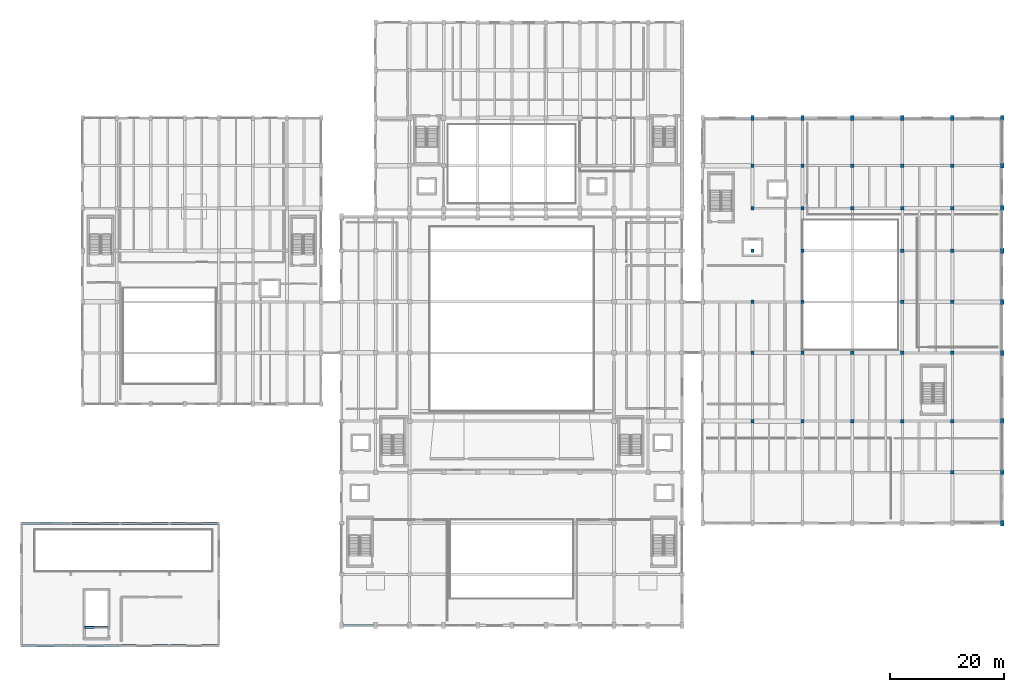
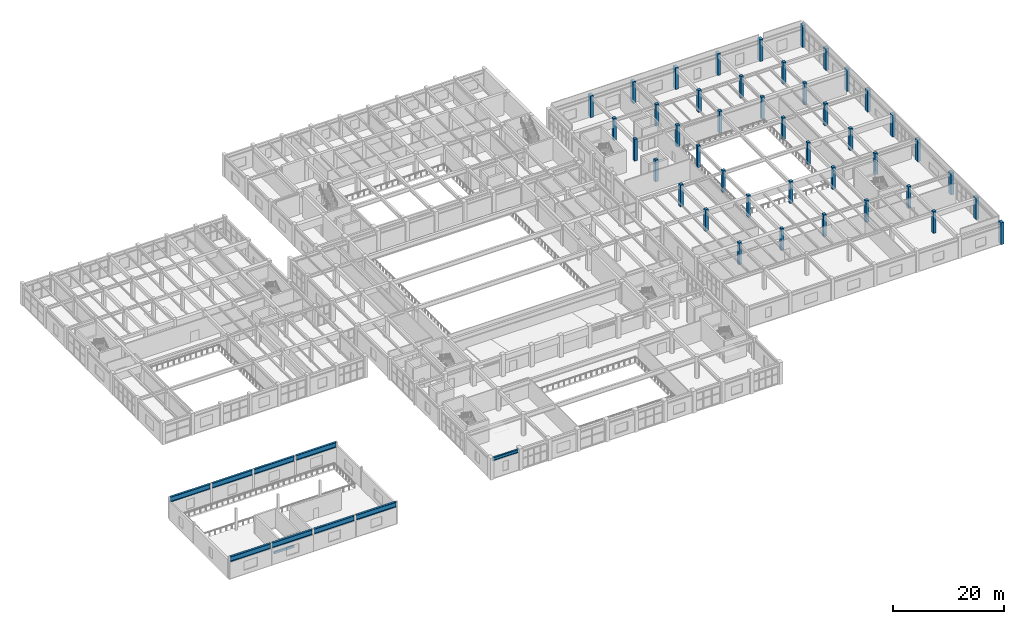
# One storey, part 4 of 96: 43 columns, 10 beams.
"""IFC4 building model written with IfcOpenShell, lengths in metres."""

from ifc_helpers import new_model, si_unit, direction, frame, origin, origin_2d, place, context, subcontext, project, spatial, rectangle, i_section, extrude, material, material_profile, profile_set, type_object, element, save


model = new_model("IFC4")

# Units and contexts
model_context = context("Model", 3, precision=1e-05, world=origin(), true_north=direction((0.0, 1.0)))
body_context = subcontext(model_context, "Body", "Model", "MODEL_VIEW")
ifc_project = project(units=[si_unit("LENGTHUNIT", "METRE"), si_unit("AREAUNIT", "SQUARE_METRE"), si_unit("VOLUMEUNIT", "CUBIC_METRE"), si_unit("PLANEANGLEUNIT", "RADIAN"), si_unit("MASSUNIT", "GRAM", prefix="KILO")], contexts=[model_context])

# Site, building, storey
site_placement = place(None, origin())
site = spatial("IfcSite", under=ifc_project, at=site_placement, CompositionType="ELEMENT")
building_placement = place(site_placement, origin())
building = spatial("IfcBuilding", under=site, at=building_placement, Name="Vaelkrest Opera House", CompositionType="ELEMENT")
storey_placement = place(building_placement, frame((0.0, 0.0, 5.39990234375)))
storey = spatial("IfcBuildingStorey", under=building, at=storey_placement, Name="L01", CompositionType="ELEMENT", Elevation=5.39990234375)

# Columns
ifc_material_1 = material(Name="Concrete C50/60", Category="concrete")
ifc_material_profile_1 = material_profile(ifc_material_1, rectangle(XDim=0.60009765625, YDim=0.60009765625, at=origin_2d()), Name="RC600X600")
ifc_profile_set_1 = profile_set([ifc_material_profile_1], Name="Concrete C50/60")
column_type_1 = type_object("IfcColumnType", Name="C02", PredefinedType="COLUMN", material=ifc_profile_set_1)
for number, where, z_axis, x_axis, name in (
    (1, (42.39990234375, -19.800048828125, 0.0), (0.0, 0.0, 1.0), (1.0, 0.0, 0.0), "Column COL-V4-L01-1253"),
    (2, (42.39990234375, -7.800048828125, 0.0), (0.0, 0.0, 1.0), (1.0, 0.0, 0.0), "Column COL-V4-L01-1254"),
    (3, (42.39990234375, 1.199951171875, 0.0), (0.0, 0.0, 1.0), (1.0, 0.0, 0.0), "Column COL-V4-L01-1255"),
    (4, (42.39990234375, 10.199951171875, 0.0), (0.0, 0.0, 1.0), (1.0, 0.0, 0.0), "Column COL-V4-L01-1256"),
    (5, (42.39990234375, 17.699951171875, 0.0), (0.0, 0.0, 1.0), (1.0, 0.0, 0.0), "Column COL-V4-L01-1257"),
    (6, (42.39990234375, 25.199951171875, 0.0), (0.0, 0.0, 1.0), (1.0, 0.0, 0.0), "Column COL-V4-L01-1258"),
    (7, (51.199951171875, -19.800048828125, 0.0), (0.0, 0.0, 1.0), (1.0, 0.0, 0.0), "Column COL-V4-L01-1262"),
    (8, (51.199951171875, -7.800048828125, 0.0), (0.0, 0.0, 1.0), (1.0, 0.0, 0.0), "Column COL-V4-L01-1263"),
    (9, (51.199951171875, 1.199951171875, 0.0), (0.0, 0.0, 1.0), (1.0, 0.0, 0.0), "Column COL-V4-L01-1264"),
    (10, (51.199951171875, 10.199951171875, 0.0), (0.0, 0.0, 1.0), (1.0, 0.0, 0.0), "Column COL-V4-L01-1265"),
    (11, (51.199951171875, 17.699951171875, 0.0), (0.0, 0.0, 1.0), (1.0, 0.0, 0.0), "Column COL-V4-L01-1266"),
    (12, (51.199951171875, 25.199951171875, 0.0), (0.0, 0.0, 1.0), (1.0, 0.0, 0.0), "Column COL-V4-L01-1267"),
    (13, (60.0, -19.800048828125, 0.0), (0.0, 0.0, 1.0), (1.0, 0.0, 0.0), "Column COL-V4-L01-1271"),
    (14, (60.0, -7.800048828125, 0.0), (0.0, 0.0, 1.0), (1.0, 0.0, 0.0), "Column COL-V4-L01-1272"),
    (15, (60.0, 17.699951171875, 0.0), (0.0, 0.0, 1.0), (1.0, 0.0, 0.0), "Column COL-V4-L01-1273"),
    (16, (60.0, 25.199951171875, 0.0), (0.0, 0.0, 1.0), (1.0, 0.0, 0.0), "Column COL-V4-L01-1274"),
    (17, (68.800048828125, -19.800048828125, 0.0), (0.0, 0.0, 1.0), (1.0, 0.0, 0.0), "Column COL-V4-L01-1278"),
    (18, (68.800048828125, -7.800048828125, 0.0), (0.0, 0.0, 1.0), (1.0, 0.0, 0.0), "Column COL-V4-L01-1279"),
    (19, (68.800048828125, 1.199951171875, 0.0), (0.0, 0.0, 1.0), (1.0, 0.0, 0.0), "Column COL-V4-L01-1280"),
    (20, (68.800048828125, 10.199951171875, 0.0), (0.0, 0.0, 1.0), (1.0, 0.0, 0.0), "Column COL-V4-L01-1281"),
    (21, (68.800048828125, 17.699951171875, 0.0), (0.0, 0.0, 1.0), (1.0, 0.0, 0.0), "Column COL-V4-L01-1282"),
    (22, (68.800048828125, 25.199951171875, 0.0), (0.0, 0.0, 1.0), (1.0, 0.0, 0.0), "Column COL-V4-L01-1283"),
    (23, (77.60009765625, -28.800048828125, 0.0), (0.0, 0.0, 1.0), (1.0, 0.0, 0.0), "Column COL-V4-L01-1286"),
    (24, (77.60009765625, -19.800048828125, 0.0), (0.0, 0.0, 1.0), (1.0, 0.0, 0.0), "Column COL-V4-L01-1287"),
    (25, (77.60009765625, -7.800048828125, 0.0), (0.0, 0.0, 1.0), (1.0, 0.0, 0.0), "Column COL-V4-L01-1288"),
    (26, (77.60009765625, 1.199951171875, 0.0), (0.0, 0.0, 1.0), (1.0, 0.0, 0.0), "Column COL-V4-L01-1289"),
    (27, (77.60009765625, 10.199951171875, 0.0), (0.0, 0.0, 1.0), (1.0, 0.0, 0.0), "Column COL-V4-L01-1290"),
    (28, (77.60009765625, 17.699951171875, 0.0), (0.0, 0.0, 1.0), (1.0, 0.0, 0.0), "Column COL-V4-L01-1291"),
    (29, (77.60009765625, 25.199951171875, 0.0), (0.0, 0.0, 1.0), (1.0, 0.0, 0.0), "Column COL-V4-L01-1292"),
):
    element("IfcColumn", number, at=place(storey_placement, frame(where, z_axis=z_axis, x_axis=x_axis)), inside=storey, type_object=column_type_1, Name=name, PredefinedType="COLUMN", context=body_context, shape_type="SweptSolid", body=[
        extrude(rectangle(XDim=0.60009765625, YDim=0.60009765625, at=origin_2d()), origin(), (0.0, 0.0, 1.0), 4.800048828125),
    ])
ifc_material_profile_2 = material_profile(ifc_material_1, rectangle(XDim=0.60009765625, YDim=0.89990234375, at=origin_2d()), Name="RC600X900")
ifc_profile_set_2 = profile_set([ifc_material_profile_2], Name="Concrete C50/60")
column_type_2 = type_object("IfcColumnType", Name="C06", PredefinedType="COLUMN", material=ifc_profile_set_2)
for number, where, z_axis, x_axis, name in (
    (30, (42.39990234375, 33.60009765625, 0.0), (0.0, 0.0, 1.0), (1.0, 0.0, 0.0), "Column COL-V4-L01-1259"),
    (31, (51.199951171875, 33.60009765625, 0.0), (0.0, 0.0, 1.0), (1.0, 0.0, 0.0), "Column COL-V4-L01-1268"),
    (32, (60.0, 33.60009765625, 0.0), (0.0, 0.0, 1.0), (1.0, 0.0, 0.0), "Column COL-V4-L01-1275"),
    (33, (68.800048828125, 33.60009765625, 0.0), (0.0, 0.0, 1.0), (1.0, 0.0, 0.0), "Column COL-V4-L01-1284"),
    (34, (77.60009765625, 33.60009765625, 0.0), (0.0, 0.0, 1.0), (1.0, 0.0, 0.0), "Column COL-V4-L01-1293"),
    (35, (86.39990234375, -37.800048828125, 0.0), (0.0, 0.0, 1.0), (1.0, 0.0, 0.0), "Column COL-V4-L01-1294"),
    (36, (86.39990234375, -28.800048828125, 0.0), (0.0, 0.0, 1.0), (1.0, 0.0, 0.0), "Column COL-V4-L01-1295"),
    (37, (86.39990234375, -19.800048828125, 0.0), (0.0, 0.0, 1.0), (1.0, 0.0, 0.0), "Column COL-V4-L01-1296"),
    (38, (86.39990234375, -7.800048828125, 0.0), (0.0, 0.0, 1.0), (1.0, 0.0, 0.0), "Column COL-V4-L01-1297"),
    (39, (86.39990234375, 1.199951171875, 0.0), (0.0, 0.0, 1.0), (1.0, 0.0, 0.0), "Column COL-V4-L01-1298"),
    (40, (86.39990234375, 10.199951171875, 0.0), (0.0, 0.0, 1.0), (1.0, 0.0, 0.0), "Column COL-V4-L01-1299"),
    (41, (86.39990234375, 17.699951171875, 0.0), (0.0, 0.0, 1.0), (1.0, 0.0, 0.0), "Column COL-V4-L01-1300"),
    (42, (86.39990234375, 25.199951171875, 0.0), (0.0, 0.0, 1.0), (1.0, 0.0, 0.0), "Column COL-V4-L01-1301"),
    (43, (86.39990234375, 33.60009765625, 0.0), (0.0, 0.0, 1.0), (1.0, 0.0, 0.0), "Column COL-V4-L01-1302"),
):
    element("IfcColumn", number, at=place(storey_placement, frame(where, z_axis=z_axis, x_axis=x_axis)), inside=storey, type_object=column_type_2, Name=name, PredefinedType="COLUMN", context=body_context, shape_type="SweptSolid", body=[
        extrude(rectangle(XDim=0.60009765625, YDim=0.89990234375, at=origin_2d()), origin(), (0.0, 0.0, 1.0), 4.800048828125),
    ])

# Beams
ifc_material_profile_3 = material_profile(ifc_material_1, rectangle(XDim=0.35009765625, YDim=0.449951171875, at=origin_2d()), Name="RCB350X450")
ifc_profile_set_3 = profile_set([ifc_material_profile_3], Name="Concrete C50/60")
beam_type_1 = type_object("IfcBeamType", Name="LN01", PredefinedType="LINTEL", material=ifc_profile_set_3)
beam_1_placement = place(storey_placement, frame((-75.219970703125, -56.14990234375, -0.224853515625), z_axis=(1.0, 0.0, 0.0), x_axis=(0.0, 1.0, 0.0)))
element("IfcBeam", 44, at=beam_1_placement, inside=storey, type_object=beam_type_1, Name="Stairwell trimmer beam ST11 L01", PredefinedType="LINTEL", context=body_context, shape_type="SweptSolid", body=[
    extrude(rectangle(XDim=0.35009765625, YDim=0.449951171875, at=origin_2d()), origin(), (0.0, 0.0, 1.0), 4.139892578125),
])
ifc_material_2 = material(Name="Steel A992 Gr50", Category="steel")
ifc_material_profile_4 = material_profile(ifc_material_2, i_section(OverallWidth=0.35498046875, OverallDepth=0.695068359375, WebThickness=0.015380859375, FlangeThickness=0.02490234375, at=origin_2d()), Name="W27X146")
ifc_profile_set_4 = profile_set([ifc_material_profile_4], Name="Steel A992 Gr50")
beam_type_2 = type_object("IfcBeamType", Name="SP02", PredefinedType="SPANDREL", material=ifc_profile_set_4)
beam_2_placement = place(storey_placement, frame((-29.64990234375, -55.800048828125, 4.152587890625), z_axis=(1.0, 0.0, 0.0), x_axis=(0.0, 1.0, 0.0)))
element("IfcBeam", 45, at=beam_2_placement, inside=storey, type_object=beam_type_2, Name="Beam BM-V1-L01-0205", PredefinedType="SPANDREL", context=body_context, shape_type="SweptSolid", body=[
    extrude(i_section(OverallWidth=0.35498046875, OverallDepth=0.695068359375, WebThickness=0.015380859375, FlangeThickness=0.02490234375, at=origin_2d()), origin(), (0.0, 0.0, 1.0), 5.2998046875),
])
ifc_material_profile_5 = material_profile(ifc_material_2, i_section(OverallWidth=0.405029296875, OverallDepth=1.117919921875, WebThickness=0.02587890625, FlangeThickness=0.044921875, at=origin_2d()), Name="W44X335")
ifc_profile_set_5 = profile_set([ifc_material_profile_5], Name="Steel A992 Gr50")
beam_type_3 = type_object("IfcBeamType", Name="SP05", PredefinedType="SPANDREL", material=ifc_profile_set_5)
beam_3_placement = place(storey_placement, frame((-86.215087890625, -59.39990234375, 4.22119140625), z_axis=(1.0, 0.0, 0.0), x_axis=(0.0, 1.0, 0.0)))
element("IfcBeam", 46, at=beam_3_placement, inside=storey, type_object=beam_type_3, Name="Beam BM-V5-L01-2487", PredefinedType="SPANDREL", context=body_context, shape_type="SweptSolid", body=[
    extrude(i_section(OverallWidth=0.405029296875, OverallDepth=1.117919921875, WebThickness=0.02587890625, FlangeThickness=0.044921875, at=origin_2d()), origin(), (0.0, 0.0, 1.0), 8.330078125),
])
for number, where, z_axis, x_axis, name in (
    (47, (-77.514892578125, -59.39990234375, 4.22119140625), (1.0, 0.0, 0.0), (0.0, 1.0, 0.0), "Beam BM-V5-L01-2488"),
    (48, (-68.81494140625, -59.39990234375, 4.22119140625), (1.0, 0.0, 0.0), (0.0, 1.0, 0.0), "Beam BM-V5-L01-2489"),
):
    element("IfcBeam", number, at=place(storey_placement, frame(where, z_axis=z_axis, x_axis=x_axis)), inside=storey, type_object=beam_type_3, Name=name, PredefinedType="SPANDREL", context=body_context, shape_type="SweptSolid", body=[
        extrude(i_section(OverallWidth=0.405029296875, OverallDepth=1.117919921875, WebThickness=0.02587890625, FlangeThickness=0.044921875, at=origin_2d()), origin(), (0.0, 0.0, 1.0), 8.329833984375),
    ])
for number, where, z_axis, x_axis, name in (
    (49, (-60.114990234375, -59.39990234375, 4.22119140625), (1.0, 0.0, 0.0), (0.0, 1.0, 0.0), "Beam BM-V5-L01-2490"),
    (50, (-86.215087890625, -37.800048828125, 4.22119140625), (1.0, 0.0, 0.0), (0.0, 1.0, 0.0), "Beam BM-V5-L01-2491"),
):
    element("IfcBeam", number, at=place(storey_placement, frame(where, z_axis=z_axis, x_axis=x_axis)), inside=storey, type_object=beam_type_3, Name=name, PredefinedType="SPANDREL", context=body_context, shape_type="SweptSolid", body=[
        extrude(i_section(OverallWidth=0.405029296875, OverallDepth=1.117919921875, WebThickness=0.02587890625, FlangeThickness=0.044921875, at=origin_2d()), origin(), (0.0, 0.0, 1.0), 8.330078125),
    ])
for number, where, z_axis, x_axis, name in (
    (51, (-77.514892578125, -37.800048828125, 4.22119140625), (1.0, 0.0, 0.0), (0.0, 1.0, 0.0), "Beam BM-V5-L01-2492"),
    (52, (-68.81494140625, -37.800048828125, 4.22119140625), (1.0, 0.0, 0.0), (0.0, 1.0, 0.0), "Beam BM-V5-L01-2493"),
):
    element("IfcBeam", number, at=place(storey_placement, frame(where, z_axis=z_axis, x_axis=x_axis)), inside=storey, type_object=beam_type_3, Name=name, PredefinedType="SPANDREL", context=body_context, shape_type="SweptSolid", body=[
        extrude(i_section(OverallWidth=0.405029296875, OverallDepth=1.117919921875, WebThickness=0.02587890625, FlangeThickness=0.044921875, at=origin_2d()), origin(), (0.0, 0.0, 1.0), 8.329833984375),
    ])
beam_4_placement = place(storey_placement, frame((-60.114990234375, -37.800048828125, 4.22119140625), z_axis=(1.0, 0.0, 0.0), x_axis=(0.0, 1.0, 0.0)))
element("IfcBeam", 53, at=beam_4_placement, inside=storey, type_object=beam_type_3, Name="Beam BM-V5-L01-2494", PredefinedType="SPANDREL", context=body_context, shape_type="SweptSolid", body=[
    extrude(i_section(OverallWidth=0.405029296875, OverallDepth=1.117919921875, WebThickness=0.02587890625, FlangeThickness=0.044921875, at=origin_2d()), origin(), (0.0, 0.0, 1.0), 8.330078125),
])

save(model, "model.ifc")
